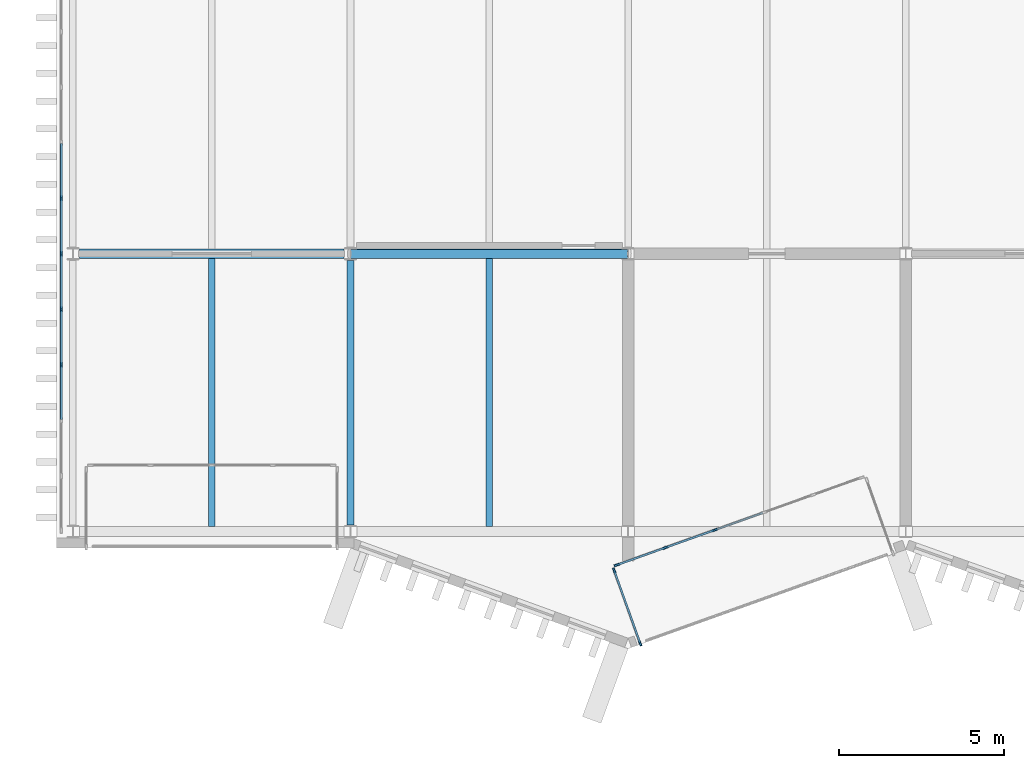
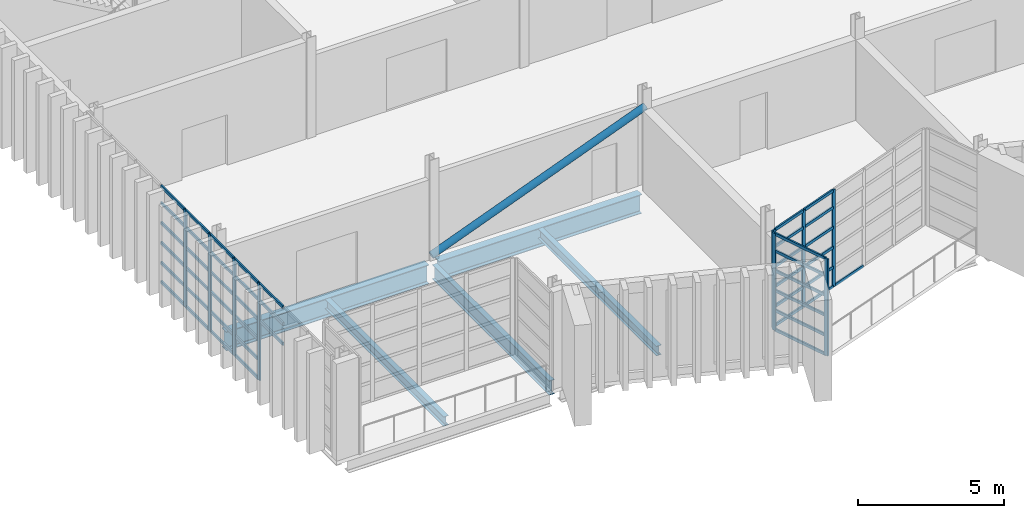
# One storey, part 14 of 96: 56 members, 5 beams, 3 elements without a shape of their own.
"""IFC4 building model written with IfcOpenShell, lengths in metres."""

from ifc_helpers import new_model, si_unit, direction, frame, origin, origin_2d, place, context, subcontext, project, spatial, rectangle, hollow_circle, i_section, extrude, material, layer, layer_set, material_profile, profile_set, type_object, element, aggregate, save


model = new_model("IFC4")

# Units and contexts
model_context = context("Model", 3, precision=1e-05, world=origin(), true_north=direction((0.0, 1.0)))
body_context = subcontext(model_context, "Body", "Model", "MODEL_VIEW")
ifc_project = project(units=[si_unit("LENGTHUNIT", "METRE"), si_unit("AREAUNIT", "SQUARE_METRE"), si_unit("VOLUMEUNIT", "CUBIC_METRE"), si_unit("PLANEANGLEUNIT", "RADIAN"), si_unit("MASSUNIT", "GRAM", prefix="KILO")], contexts=[model_context])

# Site, building, storey
site_placement = place(None, origin())
site = spatial("IfcSite", under=ifc_project, at=site_placement, CompositionType="ELEMENT")
building_placement = place(site_placement, origin())
building = spatial("IfcBuilding", under=site, at=building_placement, Name="Cresset Court Congress Hotel", CompositionType="ELEMENT")
storey_placement = place(building_placement, frame((0.0, 0.0, 6.0)))
storey = spatial("IfcBuildingStorey", under=building, at=storey_placement, Name="L01", CompositionType="ELEMENT", Elevation=6.0)

# Curtain wall, members
ifc_material_1 = material(Name="Aluminium frame with double glazing", Category="aluminium")
ifc_layer = layer(ifc_material_1, 0.199951171875)
ifc_layer_set = layer_set([ifc_layer], Name="Glazed box curtain wall 1680 module")
curtain_wall_type = type_object("IfcCurtainWallType", Name="Glazed box curtain wall 1680 module", PredefinedType="NOTDEFINED", material=ifc_layer_set)
curtain_wall_1_placement = place(storey_placement, origin())
curtain_wall_1 = element("IfcCurtainWall", 1, at=curtain_wall_1_placement, inside=storey, type_object=curtain_wall_type, Name="Glazed box S0103 front", PredefinedType="NOTDEFINED")
ifc_material_2 = material(Name="Aluminium", Category="aluminium")
ifc_material_profile_1 = material_profile(ifc_material_2, rectangle(XDim=0.06005859375, YDim=0.159912109375, at=origin_2d()), Name="Box mullion 60x160")
ifc_profile_set_1 = profile_set([ifc_material_profile_1], Name="Aluminium")
member_type_1 = type_object("IfcMemberType", Name="Box mullion 60x160", PredefinedType="MULLION", material=ifc_profile_set_1)
member_1_placement = place(storey_placement, frame((24.8583984375, -1.017333984375, 0.0), z_axis=(0.0, 0.0, 1.0), x_axis=(-0.336336396981, 0.941741911601, 0.0)))
member_1 = element("IfcMember", 2, at=member_1_placement, type_object=member_type_1, Name="B-X1 mullion 1", PredefinedType="MULLION", context=body_context, shape_type="SweptSolid", body=[
    extrude(rectangle(XDim=0.06005859375, YDim=0.159912109375, at=origin_2d()), origin(), (0.0, 0.0, 1.0), 4.050048828125),
])
member_2_placement = place(storey_placement, frame((26.32177734375, -0.49462890625, 0.0), z_axis=(0.0, 0.0, 1.0), x_axis=(-0.336336396981, 0.941741911601, 0.0)))
member_2 = element("IfcMember", 3, at=member_2_placement, type_object=member_type_1, Name="B-X1 mullion 2", PredefinedType="MULLION", context=body_context, shape_type="SweptSolid", body=[
    extrude(rectangle(XDim=0.06005859375, YDim=0.159912109375, at=origin_2d()), origin(), (0.0, 0.0, 1.0), 4.050048828125),
])
member_3_placement = place(storey_placement, frame((27.813232421875, 0.0380859375, 0.0), z_axis=(0.0, 0.0, 1.0), x_axis=(-0.336336396981, 0.941741911601, 0.0)))
member_3 = element("IfcMember", 4, at=member_3_placement, type_object=member_type_1, Name="B-X1 mullion 3", PredefinedType="MULLION", context=body_context, shape_type="SweptSolid", body=[
    extrude(rectangle(XDim=0.06005859375, YDim=0.159912109375, at=origin_2d()), origin(), (0.0, 0.0, 1.0), 4.050048828125),
])

curtain_wall_2_placement = place(storey_placement, origin())
curtain_wall_2 = element("IfcCurtainWall", 5, at=curtain_wall_2_placement, inside=storey, type_object=curtain_wall_type, Name="Glazed box S0103 side", PredefinedType="NOTDEFINED")
member_4_placement = place(storey_placement, frame((25.566650390625, -3.38720703125, 0.0), z_axis=(0.0, 0.0, 1.0), x_axis=(-0.941741911578, -0.336336397047, 0.0)))
member_4 = element("IfcMember", 6, at=member_4_placement, type_object=member_type_1, Name="B-X1 mullion 1", PredefinedType="MULLION", context=body_context, shape_type="SweptSolid", body=[
    extrude(rectangle(XDim=0.06005859375, YDim=0.159912109375, at=origin_2d()), origin(), (0.0, 0.0, 1.0), 4.050048828125),
])
member_5_placement = place(storey_placement, frame((24.779541015625, -1.18359375, 0.0), z_axis=(0.0, 0.0, 1.0), x_axis=(-0.941741911578, -0.336336397047, 0.0)))
member_5 = element("IfcMember", 7, at=member_5_placement, type_object=member_type_1, Name="B-X1 mullion 2", PredefinedType="MULLION", context=body_context, shape_type="SweptSolid", body=[
    extrude(rectangle(XDim=0.06005859375, YDim=0.159912109375, at=origin_2d()), origin(), (0.0, 0.0, 1.0), 4.050048828125),
])

curtain_wall_3_placement = place(storey_placement, origin())
curtain_wall_3 = element("IfcCurtainWall", 8, at=curtain_wall_3_placement, inside=storey, type_object=curtain_wall_type, Name="Foyer glazed front L01", PredefinedType="NOTDEFINED")
member_6_placement = place(storey_placement, frame((8.050048828125, 5.0400390625, 0.0), z_axis=(0.0, 0.0, 1.0), x_axis=(-1.0, 0.0, 0.0)))
member_6 = element("IfcMember", 9, at=member_6_placement, type_object=member_type_1, Name="B-X1 mullion 4", PredefinedType="MULLION", context=body_context, shape_type="SweptSolid", body=[
    extrude(rectangle(XDim=0.06005859375, YDim=0.159912109375, at=origin_2d()), origin(), (0.0, 0.0, 1.0), 4.050048828125),
])
member_7_placement = place(storey_placement, frame((8.050048828125, 6.719970703125, 0.0), z_axis=(0.0, 0.0, 1.0), x_axis=(-1.0, 0.0, 0.0)))
member_7 = element("IfcMember", 10, at=member_7_placement, type_object=member_type_1, Name="B-X1 mullion 5", PredefinedType="MULLION", context=body_context, shape_type="SweptSolid", body=[
    extrude(rectangle(XDim=0.06005859375, YDim=0.159912109375, at=origin_2d()), origin(), (0.0, 0.0, 1.0), 4.050048828125),
])
member_8_placement = place(storey_placement, frame((8.050048828125, 8.39990234375, 0.0), z_axis=(0.0, 0.0, 1.0), x_axis=(-1.0, 0.0, 0.0)))
member_8 = element("IfcMember", 11, at=member_8_placement, type_object=member_type_1, Name="B-X1 mullion 6", PredefinedType="MULLION", context=body_context, shape_type="SweptSolid", body=[
    extrude(rectangle(XDim=0.06005859375, YDim=0.159912109375, at=origin_2d()), origin(), (0.0, 0.0, 1.0), 4.050048828125),
])
member_9_placement = place(storey_placement, frame((8.050048828125, 10.080078125, 0.0), z_axis=(0.0, 0.0, 1.0), x_axis=(-1.0, 0.0, 0.0)))
member_9 = element("IfcMember", 12, at=member_9_placement, type_object=member_type_1, Name="B-X1 mullion 7", PredefinedType="MULLION", context=body_context, shape_type="SweptSolid", body=[
    extrude(rectangle(XDim=0.06005859375, YDim=0.159912109375, at=origin_2d()), origin(), (0.0, 0.0, 1.0), 4.050048828125),
])

# Member
ifc_material_3 = material(Name="Aluminium", Category="aluminium")
ifc_material_profile_2 = material_profile(ifc_material_3, rectangle(XDim=0.06005859375, YDim=0.1201171875, at=origin_2d()), Name="Box transom 60x120")
ifc_profile_set_2 = profile_set([ifc_material_profile_2], Name="Aluminium")
member_type_2 = type_object("IfcMemberType", Name="Box transom 60x120", PredefinedType="USERDEFINED", material=ifc_profile_set_2)
member_10_placement = place(storey_placement, frame((24.886474609375, -1.00732421875, 0.030029296875), z_axis=(0.941753002509, 0.336305340823, 0.0), x_axis=(-0.336305340823, 0.941753002509, 0.0)))
member_10 = element("IfcMember", 13, at=member_10_placement, type_object=member_type_2, Name="B-X1 transom 1.1", ObjectType="TRANSOM", PredefinedType="USERDEFINED", context=body_context, shape_type="SweptSolid", body=[
    extrude(rectangle(XDim=0.06005859375, YDim=0.1201171875, at=origin_2d()), origin(), (0.0, 0.0, 1.0), 1.493896484375),
])

member_11_placement = place(storey_placement, frame((24.886474609375, -1.00732421875, 0.830078125), z_axis=(0.941753002509, 0.336305340823, 0.0), x_axis=(-0.336305340823, 0.941753002509, 0.0)))
member_11 = element("IfcMember", 14, at=member_11_placement, type_object=member_type_2, Name="B-X1 transom 1.2", ObjectType="TRANSOM", PredefinedType="USERDEFINED", context=body_context, shape_type="SweptSolid", body=[
    extrude(rectangle(XDim=0.06005859375, YDim=0.1201171875, at=origin_2d()), origin(), (0.0, 0.0, 1.0), 1.493896484375),
])

member_12_placement = place(storey_placement, frame((24.886474609375, -1.00732421875, 1.659912109375), z_axis=(0.941753002509, 0.336305340823, 0.0), x_axis=(-0.336305340823, 0.941753002509, 0.0)))
member_12 = element("IfcMember", 15, at=member_12_placement, type_object=member_type_2, Name="B-X1 transom 1.3", ObjectType="TRANSOM", PredefinedType="USERDEFINED", context=body_context, shape_type="SweptSolid", body=[
    extrude(rectangle(XDim=0.06005859375, YDim=0.1201171875, at=origin_2d()), origin(), (0.0, 0.0, 1.0), 1.493896484375),
])

member_13_placement = place(storey_placement, frame((24.886474609375, -1.00732421875, 2.489990234375), z_axis=(0.941753002509, 0.336305340823, 0.0), x_axis=(-0.336305340823, 0.941753002509, 0.0)))
member_13 = element("IfcMember", 16, at=member_13_placement, type_object=member_type_2, Name="B-X1 transom 1.4", ObjectType="TRANSOM", PredefinedType="USERDEFINED", context=body_context, shape_type="SweptSolid", body=[
    extrude(rectangle(XDim=0.06005859375, YDim=0.1201171875, at=origin_2d()), origin(), (0.0, 0.0, 1.0), 1.493896484375),
])

member_14_placement = place(storey_placement, frame((24.886474609375, -1.00732421875, 3.320068359375), z_axis=(0.941753002509, 0.336305340823, 0.0), x_axis=(-0.336305340823, 0.941753002509, 0.0)))
member_14 = element("IfcMember", 17, at=member_14_placement, type_object=member_type_2, Name="B-X1 transom 1.5", ObjectType="TRANSOM", PredefinedType="USERDEFINED", context=body_context, shape_type="SweptSolid", body=[
    extrude(rectangle(XDim=0.06005859375, YDim=0.1201171875, at=origin_2d()), origin(), (0.0, 0.0, 1.0), 1.493896484375),
])

member_15_placement = place(storey_placement, frame((24.886474609375, -1.00732421875, 4.02001953125), z_axis=(0.941753002509, 0.336305340823, 0.0), x_axis=(-0.336305340823, 0.941753002509, 0.0)))
member_15 = element("IfcMember", 18, at=member_15_placement, type_object=member_type_2, Name="B-X1 transom 1.6", ObjectType="TRANSOM", PredefinedType="USERDEFINED", context=body_context, shape_type="SweptSolid", body=[
    extrude(rectangle(XDim=0.06005859375, YDim=0.1201171875, at=origin_2d()), origin(), (0.0, 0.0, 1.0), 1.493896484375),
])

member_16_placement = place(storey_placement, frame((26.349853515625, -0.484619140625, 0.030029296875), z_axis=(0.941774525646, 0.336245063673, 0.0), x_axis=(-0.336245063673, 0.941774525646, 0.0)))
member_16 = element("IfcMember", 19, at=member_16_placement, type_object=member_type_2, Name="B-X1 transom 2.1", ObjectType="TRANSOM", PredefinedType="USERDEFINED", context=body_context, shape_type="SweptSolid", body=[
    extrude(rectangle(XDim=0.06005859375, YDim=0.1201171875, at=origin_2d()), origin(), (0.0, 0.0, 1.0), 1.52392578125),
])

member_17_placement = place(storey_placement, frame((26.349853515625, -0.484619140625, 0.830078125), z_axis=(0.941774525646, 0.336245063673, 0.0), x_axis=(-0.336245063673, 0.941774525646, 0.0)))
member_17 = element("IfcMember", 20, at=member_17_placement, type_object=member_type_2, Name="B-X1 transom 2.2", ObjectType="TRANSOM", PredefinedType="USERDEFINED", context=body_context, shape_type="SweptSolid", body=[
    extrude(rectangle(XDim=0.06005859375, YDim=0.1201171875, at=origin_2d()), origin(), (0.0, 0.0, 1.0), 1.52392578125),
])

member_18_placement = place(storey_placement, frame((26.349853515625, -0.484619140625, 1.659912109375), z_axis=(0.941774525646, 0.336245063673, 0.0), x_axis=(-0.336245063673, 0.941774525646, 0.0)))
member_18 = element("IfcMember", 21, at=member_18_placement, type_object=member_type_2, Name="B-X1 transom 2.3", ObjectType="TRANSOM", PredefinedType="USERDEFINED", context=body_context, shape_type="SweptSolid", body=[
    extrude(rectangle(XDim=0.06005859375, YDim=0.1201171875, at=origin_2d()), origin(), (0.0, 0.0, 1.0), 1.52392578125),
])

member_19_placement = place(storey_placement, frame((26.349853515625, -0.484619140625, 2.489990234375), z_axis=(0.941774525646, 0.336245063673, 0.0), x_axis=(-0.336245063673, 0.941774525646, 0.0)))
member_19 = element("IfcMember", 22, at=member_19_placement, type_object=member_type_2, Name="B-X1 transom 2.4", ObjectType="TRANSOM", PredefinedType="USERDEFINED", context=body_context, shape_type="SweptSolid", body=[
    extrude(rectangle(XDim=0.06005859375, YDim=0.1201171875, at=origin_2d()), origin(), (0.0, 0.0, 1.0), 1.52392578125),
])

member_20_placement = place(storey_placement, frame((26.349853515625, -0.484619140625, 3.320068359375), z_axis=(0.941774525646, 0.336245063673, 0.0), x_axis=(-0.336245063673, 0.941774525646, 0.0)))
member_20 = element("IfcMember", 23, at=member_20_placement, type_object=member_type_2, Name="B-X1 transom 2.5", ObjectType="TRANSOM", PredefinedType="USERDEFINED", context=body_context, shape_type="SweptSolid", body=[
    extrude(rectangle(XDim=0.06005859375, YDim=0.1201171875, at=origin_2d()), origin(), (0.0, 0.0, 1.0), 1.52392578125),
])

member_21_placement = place(storey_placement, frame((26.349853515625, -0.484619140625, 4.02001953125), z_axis=(0.941774525646, 0.336245063673, 0.0), x_axis=(-0.336245063673, 0.941774525646, 0.0)))
member_21 = element("IfcMember", 24, at=member_21_placement, type_object=member_type_2, Name="B-X1 transom 2.6", ObjectType="TRANSOM", PredefinedType="USERDEFINED", context=body_context, shape_type="SweptSolid", body=[
    extrude(rectangle(XDim=0.06005859375, YDim=0.1201171875, at=origin_2d()), origin(), (0.0, 0.0, 1.0), 1.52392578125),
])

member_22_placement = place(storey_placement, frame((27.841552734375, 0.048095703125, 0.030029296875), z_axis=(0.941756410009, 0.336295798675, 0.0), x_axis=(-0.336295798675, 0.941756410009, 0.0)))
member_22 = element("IfcMember", 25, at=member_22_placement, type_object=member_type_2, Name="B-X1 transom 3.1", ObjectType="TRANSOM", PredefinedType="USERDEFINED", context=body_context, shape_type="SweptSolid", body=[
    extrude(rectangle(XDim=0.06005859375, YDim=0.1201171875, at=origin_2d()), origin(), (0.0, 0.0, 1.0), 1.52392578125),
])

aggregate(curtain_wall_1, [member_1, member_2, member_3, member_10, member_11, member_12, member_13, member_14, member_15, member_16, member_17, member_18, member_19, member_20, member_21, member_22])

member_23_placement = place(storey_placement, frame((25.556396484375, -3.35888671875, 0.030029296875), z_axis=(-0.336329613816, 0.941744334132, 0.0), x_axis=(-0.941744334132, -0.336329613816, 0.0)))
member_23 = element("IfcMember", 26, at=member_23_placement, type_object=member_type_2, Name="B-X1 transom 1.1", ObjectType="TRANSOM", PredefinedType="USERDEFINED", context=body_context, shape_type="SweptSolid", body=[
    extrude(rectangle(XDim=0.06005859375, YDim=0.1201171875, at=origin_2d()), origin(), (0.0, 0.0, 1.0), 2.280029296875),
])

member_24_placement = place(storey_placement, frame((25.556396484375, -3.35888671875, 0.830078125), z_axis=(-0.336329613816, 0.941744334132, 0.0), x_axis=(-0.941744334132, -0.336329613816, 0.0)))
member_24 = element("IfcMember", 27, at=member_24_placement, type_object=member_type_2, Name="B-X1 transom 1.2", ObjectType="TRANSOM", PredefinedType="USERDEFINED", context=body_context, shape_type="SweptSolid", body=[
    extrude(rectangle(XDim=0.06005859375, YDim=0.1201171875, at=origin_2d()), origin(), (0.0, 0.0, 1.0), 2.280029296875),
])

member_25_placement = place(storey_placement, frame((25.556396484375, -3.35888671875, 1.659912109375), z_axis=(-0.336329613816, 0.941744334132, 0.0), x_axis=(-0.941744334132, -0.336329613816, 0.0)))
member_25 = element("IfcMember", 28, at=member_25_placement, type_object=member_type_2, Name="B-X1 transom 1.3", ObjectType="TRANSOM", PredefinedType="USERDEFINED", context=body_context, shape_type="SweptSolid", body=[
    extrude(rectangle(XDim=0.06005859375, YDim=0.1201171875, at=origin_2d()), origin(), (0.0, 0.0, 1.0), 2.280029296875),
])

member_26_placement = place(storey_placement, frame((25.556396484375, -3.35888671875, 2.489990234375), z_axis=(-0.336329613816, 0.941744334132, 0.0), x_axis=(-0.941744334132, -0.336329613816, 0.0)))
member_26 = element("IfcMember", 29, at=member_26_placement, type_object=member_type_2, Name="B-X1 transom 1.4", ObjectType="TRANSOM", PredefinedType="USERDEFINED", context=body_context, shape_type="SweptSolid", body=[
    extrude(rectangle(XDim=0.06005859375, YDim=0.1201171875, at=origin_2d()), origin(), (0.0, 0.0, 1.0), 2.280029296875),
])

member_27_placement = place(storey_placement, frame((25.556396484375, -3.35888671875, 3.320068359375), z_axis=(-0.336329613816, 0.941744334132, 0.0), x_axis=(-0.941744334132, -0.336329613816, 0.0)))
member_27 = element("IfcMember", 30, at=member_27_placement, type_object=member_type_2, Name="B-X1 transom 1.5", ObjectType="TRANSOM", PredefinedType="USERDEFINED", context=body_context, shape_type="SweptSolid", body=[
    extrude(rectangle(XDim=0.06005859375, YDim=0.1201171875, at=origin_2d()), origin(), (0.0, 0.0, 1.0), 2.280029296875),
])

member_28_placement = place(storey_placement, frame((25.556396484375, -3.35888671875, 4.02001953125), z_axis=(-0.336329613816, 0.941744334132, 0.0), x_axis=(-0.941744334132, -0.336329613816, 0.0)))
member_28 = element("IfcMember", 31, at=member_28_placement, type_object=member_type_2, Name="B-X1 transom 1.6", ObjectType="TRANSOM", PredefinedType="USERDEFINED", context=body_context, shape_type="SweptSolid", body=[
    extrude(rectangle(XDim=0.06005859375, YDim=0.1201171875, at=origin_2d()), origin(), (0.0, 0.0, 1.0), 2.280029296875),
])

aggregate(curtain_wall_2, [member_4, member_5, member_23, member_24, member_25, member_26, member_27, member_28])

member_29_placement = place(storey_placement, frame((8.050048828125, 3.389892578125, 2.489990234375), z_axis=(0.0, 1.0, 0.0), x_axis=(-1.0, 0.0, 0.0)))
member_29 = element("IfcMember", 32, at=member_29_placement, type_object=member_type_2, Name="B-X1 transom 3.4", ObjectType="TRANSOM", PredefinedType="USERDEFINED", context=body_context, shape_type="SweptSolid", body=[
    extrude(rectangle(XDim=0.06005859375, YDim=0.1201171875, at=origin_2d()), origin(), (0.0, 0.0, 1.0), 1.6201171875),
])

member_30_placement = place(storey_placement, frame((8.050048828125, 3.389892578125, 3.320068359375), z_axis=(0.0, 1.0, 0.0), x_axis=(-1.0, 0.0, 0.0)))
member_30 = element("IfcMember", 33, at=member_30_placement, type_object=member_type_2, Name="B-X1 transom 3.5", ObjectType="TRANSOM", PredefinedType="USERDEFINED", context=body_context, shape_type="SweptSolid", body=[
    extrude(rectangle(XDim=0.06005859375, YDim=0.1201171875, at=origin_2d()), origin(), (0.0, 0.0, 1.0), 1.6201171875),
])

member_31_placement = place(storey_placement, frame((8.050048828125, 3.389892578125, 4.02001953125), z_axis=(0.0, 1.0, 0.0), x_axis=(-1.0, 0.0, 0.0)))
member_31 = element("IfcMember", 34, at=member_31_placement, type_object=member_type_2, Name="B-X1 transom 3.6", ObjectType="TRANSOM", PredefinedType="USERDEFINED", context=body_context, shape_type="SweptSolid", body=[
    extrude(rectangle(XDim=0.06005859375, YDim=0.1201171875, at=origin_2d()), origin(), (0.0, 0.0, 1.0), 1.6201171875),
])

member_32_placement = place(storey_placement, frame((8.050048828125, 5.070068359375, 0.030029296875), z_axis=(0.0, 1.0, 0.0), x_axis=(-1.0, 0.0, 0.0)))
member_32 = element("IfcMember", 35, at=member_32_placement, type_object=member_type_2, Name="B-X1 transom 4.1", ObjectType="TRANSOM", PredefinedType="USERDEFINED", context=body_context, shape_type="SweptSolid", body=[
    extrude(rectangle(XDim=0.06005859375, YDim=0.1201171875, at=origin_2d()), origin(), (0.0, 0.0, 1.0), 1.619873046875),
])

member_33_placement = place(storey_placement, frame((8.050048828125, 5.070068359375, 0.830078125), z_axis=(0.0, 1.0, 0.0), x_axis=(-1.0, 0.0, 0.0)))
member_33 = element("IfcMember", 36, at=member_33_placement, type_object=member_type_2, Name="B-X1 transom 4.2", ObjectType="TRANSOM", PredefinedType="USERDEFINED", context=body_context, shape_type="SweptSolid", body=[
    extrude(rectangle(XDim=0.06005859375, YDim=0.1201171875, at=origin_2d()), origin(), (0.0, 0.0, 1.0), 1.619873046875),
])

member_34_placement = place(storey_placement, frame((8.050048828125, 5.070068359375, 1.659912109375), z_axis=(0.0, 1.0, 0.0), x_axis=(-1.0, 0.0, 0.0)))
member_34 = element("IfcMember", 37, at=member_34_placement, type_object=member_type_2, Name="B-X1 transom 4.3", ObjectType="TRANSOM", PredefinedType="USERDEFINED", context=body_context, shape_type="SweptSolid", body=[
    extrude(rectangle(XDim=0.06005859375, YDim=0.1201171875, at=origin_2d()), origin(), (0.0, 0.0, 1.0), 1.619873046875),
])

member_35_placement = place(storey_placement, frame((8.050048828125, 5.070068359375, 2.489990234375), z_axis=(0.0, 1.0, 0.0), x_axis=(-1.0, 0.0, 0.0)))
member_35 = element("IfcMember", 38, at=member_35_placement, type_object=member_type_2, Name="B-X1 transom 4.4", ObjectType="TRANSOM", PredefinedType="USERDEFINED", context=body_context, shape_type="SweptSolid", body=[
    extrude(rectangle(XDim=0.06005859375, YDim=0.1201171875, at=origin_2d()), origin(), (0.0, 0.0, 1.0), 1.619873046875),
])

member_36_placement = place(storey_placement, frame((8.050048828125, 5.070068359375, 3.320068359375), z_axis=(0.0, 1.0, 0.0), x_axis=(-1.0, 0.0, 0.0)))
member_36 = element("IfcMember", 39, at=member_36_placement, type_object=member_type_2, Name="B-X1 transom 4.5", ObjectType="TRANSOM", PredefinedType="USERDEFINED", context=body_context, shape_type="SweptSolid", body=[
    extrude(rectangle(XDim=0.06005859375, YDim=0.1201171875, at=origin_2d()), origin(), (0.0, 0.0, 1.0), 1.619873046875),
])

member_37_placement = place(storey_placement, frame((8.050048828125, 5.070068359375, 4.02001953125), z_axis=(0.0, 1.0, 0.0), x_axis=(-1.0, 0.0, 0.0)))
member_37 = element("IfcMember", 40, at=member_37_placement, type_object=member_type_2, Name="B-X1 transom 4.6", ObjectType="TRANSOM", PredefinedType="USERDEFINED", context=body_context, shape_type="SweptSolid", body=[
    extrude(rectangle(XDim=0.06005859375, YDim=0.1201171875, at=origin_2d()), origin(), (0.0, 0.0, 1.0), 1.619873046875),
])

member_38_placement = place(storey_placement, frame((8.050048828125, 6.75, 0.030029296875), z_axis=(0.0, 1.0, 0.0), x_axis=(-1.0, 0.0, 0.0)))
member_38 = element("IfcMember", 41, at=member_38_placement, type_object=member_type_2, Name="B-X1 transom 5.1", ObjectType="TRANSOM", PredefinedType="USERDEFINED", context=body_context, shape_type="SweptSolid", body=[
    extrude(rectangle(XDim=0.06005859375, YDim=0.1201171875, at=origin_2d()), origin(), (0.0, 0.0, 1.0), 1.6201171875),
])

member_39_placement = place(storey_placement, frame((8.050048828125, 6.75, 0.830078125), z_axis=(0.0, 1.0, 0.0), x_axis=(-1.0, 0.0, 0.0)))
member_39 = element("IfcMember", 42, at=member_39_placement, type_object=member_type_2, Name="B-X1 transom 5.2", ObjectType="TRANSOM", PredefinedType="USERDEFINED", context=body_context, shape_type="SweptSolid", body=[
    extrude(rectangle(XDim=0.06005859375, YDim=0.1201171875, at=origin_2d()), origin(), (0.0, 0.0, 1.0), 1.6201171875),
])

member_40_placement = place(storey_placement, frame((8.050048828125, 6.75, 1.659912109375), z_axis=(0.0, 1.0, 0.0), x_axis=(-1.0, 0.0, 0.0)))
member_40 = element("IfcMember", 43, at=member_40_placement, type_object=member_type_2, Name="B-X1 transom 5.3", ObjectType="TRANSOM", PredefinedType="USERDEFINED", context=body_context, shape_type="SweptSolid", body=[
    extrude(rectangle(XDim=0.06005859375, YDim=0.1201171875, at=origin_2d()), origin(), (0.0, 0.0, 1.0), 1.6201171875),
])

member_41_placement = place(storey_placement, frame((8.050048828125, 6.75, 2.489990234375), z_axis=(0.0, 1.0, 0.0), x_axis=(-1.0, 0.0, 0.0)))
member_41 = element("IfcMember", 44, at=member_41_placement, type_object=member_type_2, Name="B-X1 transom 5.4", ObjectType="TRANSOM", PredefinedType="USERDEFINED", context=body_context, shape_type="SweptSolid", body=[
    extrude(rectangle(XDim=0.06005859375, YDim=0.1201171875, at=origin_2d()), origin(), (0.0, 0.0, 1.0), 1.6201171875),
])

member_42_placement = place(storey_placement, frame((8.050048828125, 6.75, 3.320068359375), z_axis=(0.0, 1.0, 0.0), x_axis=(-1.0, 0.0, 0.0)))
member_42 = element("IfcMember", 45, at=member_42_placement, type_object=member_type_2, Name="B-X1 transom 5.5", ObjectType="TRANSOM", PredefinedType="USERDEFINED", context=body_context, shape_type="SweptSolid", body=[
    extrude(rectangle(XDim=0.06005859375, YDim=0.1201171875, at=origin_2d()), origin(), (0.0, 0.0, 1.0), 1.6201171875),
])

member_43_placement = place(storey_placement, frame((8.050048828125, 6.75, 4.02001953125), z_axis=(0.0, 1.0, 0.0), x_axis=(-1.0, 0.0, 0.0)))
member_43 = element("IfcMember", 46, at=member_43_placement, type_object=member_type_2, Name="B-X1 transom 5.6", ObjectType="TRANSOM", PredefinedType="USERDEFINED", context=body_context, shape_type="SweptSolid", body=[
    extrude(rectangle(XDim=0.06005859375, YDim=0.1201171875, at=origin_2d()), origin(), (0.0, 0.0, 1.0), 1.6201171875),
])

member_44_placement = place(storey_placement, frame((8.050048828125, 8.429931640625, 0.030029296875), z_axis=(0.0, 1.0, 0.0), x_axis=(-1.0, 0.0, 0.0)))
member_44 = element("IfcMember", 47, at=member_44_placement, type_object=member_type_2, Name="B-X1 transom 6.1", ObjectType="TRANSOM", PredefinedType="USERDEFINED", context=body_context, shape_type="SweptSolid", body=[
    extrude(rectangle(XDim=0.06005859375, YDim=0.1201171875, at=origin_2d()), origin(), (0.0, 0.0, 1.0), 1.6201171875),
])

member_45_placement = place(storey_placement, frame((8.050048828125, 8.429931640625, 0.830078125), z_axis=(0.0, 1.0, 0.0), x_axis=(-1.0, 0.0, 0.0)))
member_45 = element("IfcMember", 48, at=member_45_placement, type_object=member_type_2, Name="B-X1 transom 6.2", ObjectType="TRANSOM", PredefinedType="USERDEFINED", context=body_context, shape_type="SweptSolid", body=[
    extrude(rectangle(XDim=0.06005859375, YDim=0.1201171875, at=origin_2d()), origin(), (0.0, 0.0, 1.0), 1.6201171875),
])

member_46_placement = place(storey_placement, frame((8.050048828125, 8.429931640625, 1.659912109375), z_axis=(0.0, 1.0, 0.0), x_axis=(-1.0, 0.0, 0.0)))
member_46 = element("IfcMember", 49, at=member_46_placement, type_object=member_type_2, Name="B-X1 transom 6.3", ObjectType="TRANSOM", PredefinedType="USERDEFINED", context=body_context, shape_type="SweptSolid", body=[
    extrude(rectangle(XDim=0.06005859375, YDim=0.1201171875, at=origin_2d()), origin(), (0.0, 0.0, 1.0), 1.6201171875),
])

member_47_placement = place(storey_placement, frame((8.050048828125, 8.429931640625, 2.489990234375), z_axis=(0.0, 1.0, 0.0), x_axis=(-1.0, 0.0, 0.0)))
member_47 = element("IfcMember", 50, at=member_47_placement, type_object=member_type_2, Name="B-X1 transom 6.4", ObjectType="TRANSOM", PredefinedType="USERDEFINED", context=body_context, shape_type="SweptSolid", body=[
    extrude(rectangle(XDim=0.06005859375, YDim=0.1201171875, at=origin_2d()), origin(), (0.0, 0.0, 1.0), 1.6201171875),
])

member_48_placement = place(storey_placement, frame((8.050048828125, 8.429931640625, 3.320068359375), z_axis=(0.0, 1.0, 0.0), x_axis=(-1.0, 0.0, 0.0)))
member_48 = element("IfcMember", 51, at=member_48_placement, type_object=member_type_2, Name="B-X1 transom 6.5", ObjectType="TRANSOM", PredefinedType="USERDEFINED", context=body_context, shape_type="SweptSolid", body=[
    extrude(rectangle(XDim=0.06005859375, YDim=0.1201171875, at=origin_2d()), origin(), (0.0, 0.0, 1.0), 1.6201171875),
])

member_49_placement = place(storey_placement, frame((8.050048828125, 8.429931640625, 4.02001953125), z_axis=(0.0, 1.0, 0.0), x_axis=(-1.0, 0.0, 0.0)))
member_49 = element("IfcMember", 52, at=member_49_placement, type_object=member_type_2, Name="B-X1 transom 6.6", ObjectType="TRANSOM", PredefinedType="USERDEFINED", context=body_context, shape_type="SweptSolid", body=[
    extrude(rectangle(XDim=0.06005859375, YDim=0.1201171875, at=origin_2d()), origin(), (0.0, 0.0, 1.0), 1.6201171875),
])

member_50_placement = place(storey_placement, frame((8.050048828125, 10.110107421875, 0.030029296875), z_axis=(0.0, 1.0, 0.0), x_axis=(-1.0, 0.0, 0.0)))
member_50 = element("IfcMember", 53, at=member_50_placement, type_object=member_type_2, Name="B-X1 transom 7.1", ObjectType="TRANSOM", PredefinedType="USERDEFINED", context=body_context, shape_type="SweptSolid", body=[
    extrude(rectangle(XDim=0.06005859375, YDim=0.1201171875, at=origin_2d()), origin(), (0.0, 0.0, 1.0), 1.619873046875),
])

member_51_placement = place(storey_placement, frame((8.050048828125, 10.110107421875, 0.830078125), z_axis=(0.0, 1.0, 0.0), x_axis=(-1.0, 0.0, 0.0)))
member_51 = element("IfcMember", 54, at=member_51_placement, type_object=member_type_2, Name="B-X1 transom 7.2", ObjectType="TRANSOM", PredefinedType="USERDEFINED", context=body_context, shape_type="SweptSolid", body=[
    extrude(rectangle(XDim=0.06005859375, YDim=0.1201171875, at=origin_2d()), origin(), (0.0, 0.0, 1.0), 1.619873046875),
])

member_52_placement = place(storey_placement, frame((8.050048828125, 10.110107421875, 1.659912109375), z_axis=(0.0, 1.0, 0.0), x_axis=(-1.0, 0.0, 0.0)))
member_52 = element("IfcMember", 55, at=member_52_placement, type_object=member_type_2, Name="B-X1 transom 7.3", ObjectType="TRANSOM", PredefinedType="USERDEFINED", context=body_context, shape_type="SweptSolid", body=[
    extrude(rectangle(XDim=0.06005859375, YDim=0.1201171875, at=origin_2d()), origin(), (0.0, 0.0, 1.0), 1.619873046875),
])

member_53_placement = place(storey_placement, frame((8.050048828125, 10.110107421875, 2.489990234375), z_axis=(0.0, 1.0, 0.0), x_axis=(-1.0, 0.0, 0.0)))
member_53 = element("IfcMember", 56, at=member_53_placement, type_object=member_type_2, Name="B-X1 transom 7.4", ObjectType="TRANSOM", PredefinedType="USERDEFINED", context=body_context, shape_type="SweptSolid", body=[
    extrude(rectangle(XDim=0.06005859375, YDim=0.1201171875, at=origin_2d()), origin(), (0.0, 0.0, 1.0), 1.619873046875),
])

member_54_placement = place(storey_placement, frame((8.050048828125, 10.110107421875, 3.320068359375), z_axis=(0.0, 1.0, 0.0), x_axis=(-1.0, 0.0, 0.0)))
member_54 = element("IfcMember", 57, at=member_54_placement, type_object=member_type_2, Name="B-X1 transom 7.5", ObjectType="TRANSOM", PredefinedType="USERDEFINED", context=body_context, shape_type="SweptSolid", body=[
    extrude(rectangle(XDim=0.06005859375, YDim=0.1201171875, at=origin_2d()), origin(), (0.0, 0.0, 1.0), 1.619873046875),
])

member_55_placement = place(storey_placement, frame((8.050048828125, 10.110107421875, 4.02001953125), z_axis=(0.0, 1.0, 0.0), x_axis=(-1.0, 0.0, 0.0)))
member_55 = element("IfcMember", 58, at=member_55_placement, type_object=member_type_2, Name="B-X1 transom 7.6", ObjectType="TRANSOM", PredefinedType="USERDEFINED", context=body_context, shape_type="SweptSolid", body=[
    extrude(rectangle(XDim=0.06005859375, YDim=0.1201171875, at=origin_2d()), origin(), (0.0, 0.0, 1.0), 1.619873046875),
])

aggregate(curtain_wall_3, [member_6, member_7, member_8, member_9, member_29, member_30, member_31, member_32, member_33, member_34, member_35, member_36, member_37, member_38, member_39, member_40, member_41, member_42, member_43, member_44, member_45, member_46, member_47, member_48, member_49, member_50, member_51, member_52, member_53, member_54, member_55])

# Beams
ifc_material_4 = material(Name="Structural steel Q355B", Category="steel")
ifc_material_profile_3 = material_profile(ifc_material_4, i_section(OverallWidth=0.199951171875, OverallDepth=0.60009765625, WebThickness=0.010986328125, FlangeThickness=0.01708984375, FilletRadius=0.012939453125, at=origin_2d()), Name="HN600x200x11x17")
ifc_profile_set_3 = profile_set([ifc_material_profile_3], Name="Structural steel Q355B")
beam_type_1 = type_object("IfcBeamType", Name="Steel beam HN600x200x11x17", PredefinedType="BEAM", material=ifc_profile_set_3)
beam_placement = place(storey_placement, frame((16.800048828125, 0.199951171875, -0.449951171875), z_axis=(0.0, 1.0, 0.0), x_axis=(-1.0, 0.0, 0.0)))
element("IfcBeam", 59, at=beam_placement, inside=storey, type_object=beam_type_1, Name="B.by.L01.03A", PredefinedType="BEAM", context=body_context, shape_type="SweptSolid", body=[
    extrude(i_section(OverallWidth=0.199951171875, OverallDepth=0.60009765625, WebThickness=0.010986328125, FlangeThickness=0.01708984375, FilletRadius=0.012939453125, at=origin_2d()), origin(), (0.0, 0.0, 1.0), 8.0),
])
ifc_material_5 = material(Name="Structural steel Q355B", Category="steel")
ifc_material_profile_4 = material_profile(ifc_material_5, i_section(OverallWidth=0.300048828125, OverallDepth=0.800048828125, WebThickness=0.013916015625, FlangeThickness=0.02587890625, FilletRadius=0.01806640625, at=origin_2d()), Name="HN800x300x14x26")
ifc_profile_set_4 = profile_set([ifc_material_profile_4], Name="Structural steel Q355B")
beam_type_2 = type_object("IfcBeamType", Name="Steel beam HN800x300x14x26", PredefinedType="BEAM", material=ifc_profile_set_4)
for number, where, z_axis, x_axis, name in (
    (60, (8.60009765625, 8.39990234375, -0.550048828125), (1.0, 0.0, 0.0), (0.0, 1.0, 0.0), "B.bx.L01.B02"),
    (61, (17.0, 8.39990234375, -0.550048828125), (1.0, 0.0, 0.0), (0.0, 1.0, 0.0), "B.bx.L01.B03"),
):
    element("IfcBeam", number, at=place(storey_placement, frame(where, z_axis=z_axis, x_axis=x_axis)), inside=storey, type_object=beam_type_2, Name=name, PredefinedType="BEAM", context=body_context, shape_type="SweptSolid", body=[
        extrude(i_section(OverallWidth=0.300048828125, OverallDepth=0.800048828125, WebThickness=0.013916015625, FlangeThickness=0.02587890625, FilletRadius=0.01806640625, at=origin_2d()), origin(), (0.0, 0.0, 1.0), 8.0),
    ])

# Member
ifc_material_6 = material(Name="Structural steel Q355B", Category="steel")
ifc_material_profile_5 = material_profile(ifc_material_6, hollow_circle(Radius=0.136474609375, WallThickness=0.011962890625, at=origin_2d()), Name="CHS273x12")
ifc_profile_set_5 = profile_set([ifc_material_profile_5], Name="Structural steel Q355B")
member_type_3 = type_object("IfcMemberType", Name="Steel brace CHS273x12", PredefinedType="BRACE", material=ifc_profile_set_5)
member_56_placement = place(storey_placement, frame((16.77490234375, 8.39990234375, 0.10009765625), z_axis=(0.932977607671, 0.0, 0.359934415672), x_axis=(0.0, 1.0, 0.0)))
element("IfcMember", 62, at=member_56_placement, inside=storey, type_object=member_type_3, Name="Brace L01 3", PredefinedType="BRACE", context=body_context, shape_type="SweptSolid", body=[
    extrude(hollow_circle(Radius=0.136474609375, WallThickness=0.011962890625, at=origin_2d()), origin(), (0.0, 0.0, 1.0), 9.05712890625),
])

# Beams
ifc_material_7 = material(Name="Structural steel Q355B", Category="steel")
ifc_material_profile_6 = material_profile(ifc_material_7, i_section(OverallWidth=0.199951171875, OverallDepth=0.39990234375, WebThickness=0.008056640625, FlangeThickness=0.012939453125, FilletRadius=0.01611328125, at=origin_2d()), Name="HN400x200x8x13")
ifc_profile_set_6 = profile_set([ifc_material_profile_6], Name="Structural steel Q355B")
beam_type_3 = type_object("IfcBeamType", Name="Steel joist HN400x200x8x13", PredefinedType="JOIST", material=ifc_profile_set_6)
for number, where, z_axis, x_axis, name in (
    (63, (12.60009765625, 0.14990234375, -0.35009765625), (0.0, 1.0, 0.0), (-1.0, 0.0, 0.0), "B.bj.L01.02A"),
    (64, (21.0, 0.14990234375, -0.35009765625), (0.0, 1.0, 0.0), (-1.0, 0.0, 0.0), "B.bj.L01.03A"),
):
    element("IfcBeam", number, at=place(storey_placement, frame(where, z_axis=z_axis, x_axis=x_axis)), inside=storey, type_object=beam_type_3, Name=name, PredefinedType="JOIST", context=body_context, shape_type="SweptSolid", body=[
        extrude(i_section(OverallWidth=0.199951171875, OverallDepth=0.39990234375, WebThickness=0.008056640625, FlangeThickness=0.012939453125, FilletRadius=0.01611328125, at=origin_2d()), origin(), (0.0, 0.0, 1.0), 8.10009765625),
    ])

save(model, "model.ifc")
